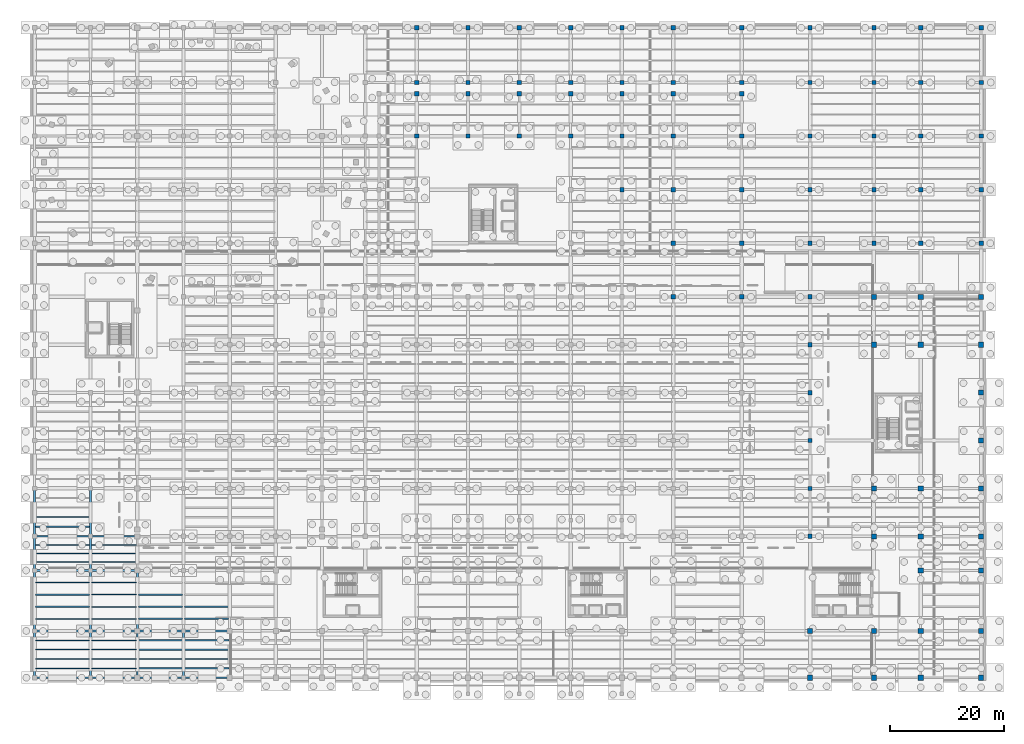
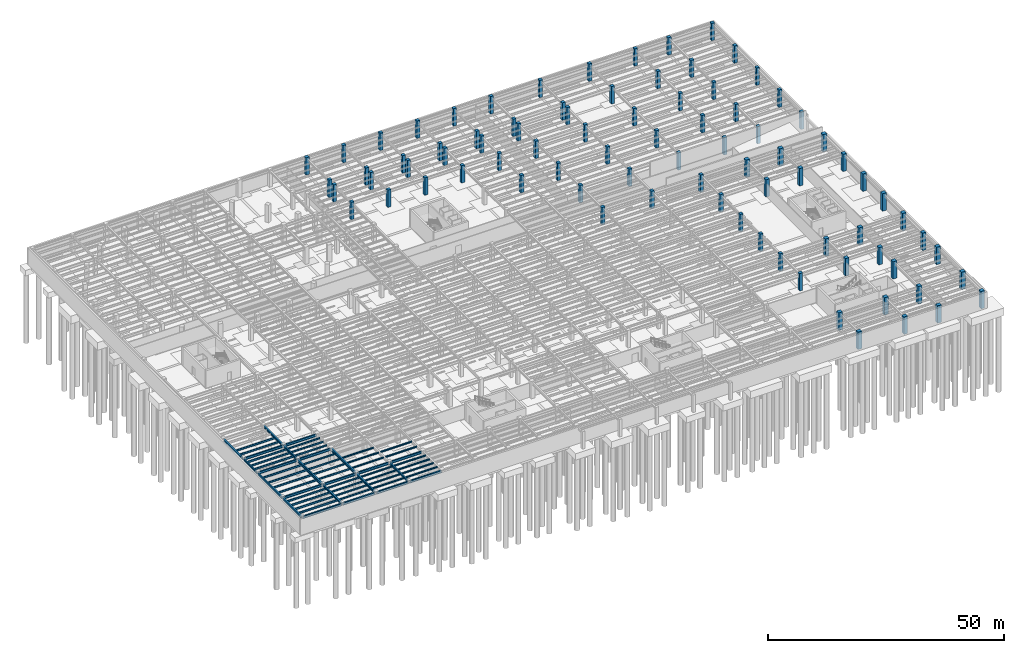
# One storey, part 18 of 49: 85 columns, 60 beams.
"""IFC4 building model written with IfcOpenShell, lengths in metres."""

import ifcopenshell
import ifcopenshell.guid

model = None  # the IFC model being written
_history = None  # IfcOwnerHistory: only IFC2X3 demands one
_inside = {}  # id of a spatial element -> (the spatial element, [elements in it])
_under = {}  # id of a project, library or spatial element -> (it, [spatial elements below it])
_declared = {}  # id of a project -> (the project, [libraries it declares])
_typed = {}  # id of a type object -> (the type object, [elements of that type])
_made_of = {}  # id of a material, layer set ... -> (it, [elements and type objects made of it])


def new_model(schema):
    """Start an empty IFC model of exactly this schema.

    Asked for "IFC4X3", IfcOpenShell would pick the latest addendum, in which some entities
    have other attributes; the version numbers below select the first issue.
    IFC2X3 requires an IfcOwnerHistory on every rooted entity: one is made here for all.
    """
    global model, _history
    if schema == "IFC4X3":
        model = ifcopenshell.file(schema_version=(4, 3, 0, 0))
    else:
        model = ifcopenshell.file(schema=schema)
    _inside.clear()
    _under.clear()
    _declared.clear()
    _typed.clear()
    _made_of.clear()
    _history = None
    if model.schema == "IFC2X3":
        org = make("IfcOrganization", Name="unknown")
        user = make(
            "IfcPersonAndOrganization",
            ThePerson=make("IfcPerson", FamilyName="unknown"),
            TheOrganization=org,
        )
        app = make(
            "IfcApplication",
            ApplicationDeveloper=org,
            Version="unknown",
            ApplicationFullName="unknown",
            ApplicationIdentifier="unknown",
        )
        _history = make(
            "IfcOwnerHistory",
            OwningUser=user,
            OwningApplication=app,
            ChangeAction="ADDED",
            CreationDate=0,
        )
    return model


def make(cls, **values):
    """One entity of the class cls with the attributes given. An attribute that is None is left unset."""
    return model.create_entity(
        cls, **{name: value for name, value in values.items() if value is not None}
    )


def rooted(cls, **values):
    """An entity with a GlobalId (a new one), such as an element, a storey or a relation."""
    return make(cls, GlobalId=ifcopenshell.guid.new(), OwnerHistory=_history, **values)


def si_unit(unit_type, name, prefix=None):
    """IfcSIUnit, for example si_unit("LENGTHUNIT", "METRE", prefix="MILLI")."""
    return make("IfcSIUnit", UnitType=unit_type, Prefix=prefix, Name=name)


def assignment(units):
    """IfcUnitAssignment: the units of a project."""
    return None if units is None else make("IfcUnitAssignment", Units=units)


def point(xyz):
    """IfcCartesianPoint."""
    return None if xyz is None else make("IfcCartesianPoint", Coordinates=xyz)


def direction(xyz):
    """IfcDirection."""
    return None if xyz is None else make("IfcDirection", DirectionRatios=xyz)


def frame(location, z_axis=None, x_axis=None):
    """IfcAxis2Placement3D, a coordinate frame: its origin and axes. An axis left out is left unset."""
    return make(
        "IfcAxis2Placement3D",
        Location=point(location),
        Axis=direction(z_axis),
        RefDirection=direction(x_axis),
    )


def frame_2d(location, x_axis=None):
    """IfcAxis2Placement2D, a coordinate frame in the plane: its origin and x axis."""
    return make(
        "IfcAxis2Placement2D", Location=point(location), RefDirection=direction(x_axis)
    )


def origin():
    """The frame at (0, 0, 0) with its axes left unset."""
    return frame((0.0, 0.0, 0.0))


def origin_2d():
    """The frame at (0, 0) in the plane with its x axis left unset."""
    return frame_2d((0.0, 0.0))


def place(relative_to, where):
    """IfcLocalPlacement: puts the frame where relative to a parent placement (None: the world)."""
    return make(
        "IfcLocalPlacement", PlacementRelTo=relative_to, RelativePlacement=where
    )


def context(
    kind, dimensions, precision=None, world=None, true_north=None, identifier=None
):
    """IfcGeometricRepresentationContext, for example the 3D "Model" context."""
    return make(
        "IfcGeometricRepresentationContext",
        ContextIdentifier=identifier,
        ContextType=kind,
        CoordinateSpaceDimension=dimensions,
        Precision=precision,
        WorldCoordinateSystem=world,
        TrueNorth=true_north,
    )


def subcontext(parent, identifier, kind, view, scale=None):
    """IfcGeometricRepresentationSubContext, for example "Body" below "Model"."""
    return make(
        "IfcGeometricRepresentationSubContext",
        ContextIdentifier=identifier,
        ContextType=kind,
        ParentContext=parent,
        TargetScale=scale,
        TargetView=view,
    )


def project(units=None, contexts=None):
    """IfcProject with its units and contexts."""
    return rooted(
        "IfcProject",
        Name="project",
        RepresentationContexts=contexts,
        UnitsInContext=assignment(units),
    )


def spatial(cls, under=None, at=None, **own):
    """A site, building, storey or space (cls), placed at a placement, below another one or the project."""
    s = rooted(cls, ObjectPlacement=at, **own)
    if under is not None:
        _under.setdefault(under.id(), (under, []))[1].append(s)
    return s


def profile(cls, at=None, kind="AREA", **sizes):
    """A parametric profile (cls). Its sizes go by their IFC names, for example OverallWidth=200.0."""
    return make(cls, ProfileType=kind, Position=at, **sizes)


def rectangle(**sizes):
    """IfcRectangleProfileDef."""
    return profile("IfcRectangleProfileDef", **sizes)


def i_section(**sizes):
    """IfcIShapeProfileDef."""
    return profile("IfcIShapeProfileDef", **sizes)


def extrude(swept, where, along, depth):
    """IfcExtrudedAreaSolid: the profile swept, set in the frame where, extruded along a direction by depth."""
    return make(
        "IfcExtrudedAreaSolid",
        SweptArea=swept,
        Position=where,
        ExtrudedDirection=direction(along),
        Depth=depth,
    )


def shape(context_of_items, identifier, shape_type, items):
    """IfcShapeRepresentation: the items that make up one representation, for example the "Body"."""
    return make(
        "IfcShapeRepresentation",
        ContextOfItems=context_of_items,
        RepresentationIdentifier=identifier,
        RepresentationType=shape_type,
        Items=items,
    )


def material(Name=None, Category=None):
    """IfcMaterial."""
    return make("IfcMaterial", Name=Name, Category=Category)


def material_profile(
    of_material, cross_section, Name=None, Category=None, Priority=None
):
    """IfcMaterialProfile: a cross section and its material."""
    return make(
        "IfcMaterialProfile",
        Name=Name,
        Material=of_material,
        Profile=cross_section,
        Priority=Priority,
        Category=Category,
    )


def profile_set(profiles, Name=None, composite=None):
    """IfcMaterialProfileSet."""
    return make(
        "IfcMaterialProfileSet",
        Name=Name,
        MaterialProfiles=profiles,
        CompositeProfile=composite,
    )


def made_of(thing, what):
    """Note that an element or type object is made of a material, layer set ...; save() writes the relation."""
    if what is not None:
        _made_of.setdefault(what.id(), (what, []))[1].append(thing)
    return thing


def type_object(cls, material=None, **own):
    """A type object (cls), such as IfcWallType, which elements share."""
    return made_of(rooted(cls, **own), material)


def element(
    cls,
    number,
    at=None,
    inside=None,
    cuts=None,
    type_object=None,
    material=None,
    context=None,
    identifier="Body",
    shape_type=None,
    held_by="IfcProductDefinitionShape",
    body=None,
    shapes=None,
    **own,
):
    """One element of the class cls, such as IfcWall. Its Tag is "e" and its number.

    at: its placement. inside: the storey or other place that contains it. cuts: it is an
    opening in that element (IfcRelVoidsElement). A single representation is given by context,
    identifier, shape_type and body (its items); several are given by shapes. held_by: the class
    of the entity that holds the representations. save() writes the other relations.
    """
    e = rooted(cls, Tag="e%d" % number, ObjectPlacement=at, **own)
    if body is not None:
        shapes = [shape(context, identifier, shape_type, body)]
    if shapes is not None:
        e.Representation = make(held_by, Representations=shapes)
    if inside is not None:
        _inside.setdefault(inside.id(), (inside, []))[1].append(e)
    if cuts is not None:
        rooted(
            "IfcRelVoidsElement", RelatingBuildingElement=cuts, RelatedOpeningElement=e
        )
    if type_object is not None:
        _typed.setdefault(type_object.id(), (type_object, []))[1].append(e)
    return made_of(e, material)


def aggregate(whole, parts):
    """IfcRelAggregates: a whole, such as a stair, and the parts it consists of."""
    return rooted("IfcRelAggregates", RelatingObject=whole, RelatedObjects=parts)


def save(model, path):
    """Write the relations noted so far, then the file.

    IfcRelAggregates (storeys below a building ...), IfcRelContainedInSpatialStructure (elements
    in a storey), IfcRelDefinesByType, IfcRelAssociatesMaterial and IfcRelDeclares: one each for
    every whole, place, type object, material and project.
    """
    for whole, parts in _under.values():
        aggregate(whole, parts)
    for where, things in _inside.values():
        rooted(
            "IfcRelContainedInSpatialStructure",
            RelatedElements=things,
            RelatingStructure=where,
        )
    for kind, things in _typed.values():
        rooted("IfcRelDefinesByType", RelatedObjects=things, RelatingType=kind)
    for what, things in _made_of.values():
        rooted("IfcRelAssociatesMaterial", RelatedObjects=things, RelatingMaterial=what)
    for by, libraries in _declared.values():
        rooted("IfcRelDeclares", RelatingContext=by, RelatedDefinitions=libraries)
    model.write(path)


model = new_model("IFC4")

# Units and contexts
model_context = context("Model", 3, precision=1e-05, world=origin(), true_north=direction((0.0, 1.0)))
body_context = subcontext(model_context, "Body", "Model", "MODEL_VIEW")
ifc_project = project(units=[si_unit("LENGTHUNIT", "METRE"), si_unit("AREAUNIT", "SQUARE_METRE"), si_unit("VOLUMEUNIT", "CUBIC_METRE"), si_unit("PLANEANGLEUNIT", "RADIAN"), si_unit("MASSUNIT", "GRAM", prefix="KILO")], contexts=[model_context])

# Site, building, storey
site_placement = place(None, origin())
site = spatial("IfcSite", under=ifc_project, at=site_placement, CompositionType="ELEMENT")
building_placement = place(site_placement, origin())
building = spatial("IfcBuilding", under=site, at=building_placement, Name="Sollismere Congress Hotel", CompositionType="ELEMENT")
storey_placement = place(building_placement, frame((0.0, 0.0, -4.5)))
storey = spatial("IfcBuildingStorey", under=building, at=storey_placement, Name="B1", CompositionType="ELEMENT", Elevation=-4.5)

# Columns
ifc_material_1 = material(Name="Concrete C50/60", Category="concrete")
ifc_material_profile_1 = material_profile(ifc_material_1, rectangle(XDim=0.75, YDim=0.75, at=origin_2d()), Name="RC750X750")
ifc_profile_set_1 = profile_set([ifc_material_profile_1], Name="Concrete C50/60")
column_type_1 = type_object("IfcColumnType", Name="COL-RC750E", PredefinedType="COLUMN", material=ifc_profile_set_1)
for number, where, z_axis, x_axis, name in (
    (1, (67.0, 114.0, 0.0), (0.0, 0.0, 1.0), (1.0, 0.0, 0.0), "Column CL-B1-339"),
    (2, (76.0, 114.0, 0.0), (0.0, 0.0, 1.0), (1.0, 0.0, 0.0), "Column CL-B1-392"),
    (3, (85.0, 114.0, 0.0), (0.0, 0.0, 1.0), (1.0, 0.0, 0.0), "Column CL-B1-451"),
    (4, (94.0, 114.0, 0.0), (0.0, 0.0, 1.0), (1.0, 0.0, 0.0), "Column CL-B1-509"),
    (5, (103.0, 114.0, 0.0), (0.0, 0.0, 1.0), (1.0, 0.0, 0.0), "Column CL-B1-567"),
    (6, (112.0, 114.0, 0.0), (0.0, 0.0, 1.0), (1.0, 0.0, 0.0), "Column CL-B1-645"),
    (7, (124.0, 114.0, 0.0), (0.0, 0.0, 1.0), (1.0, 0.0, 0.0), "Column CL-B1-726"),
    (8, (136.0, 114.0, 0.0), (0.0, 0.0, 1.0), (1.0, 0.0, 0.0), "Column CL-B1-779"),
    (9, (147.199951171875, 114.0, 0.0), (0.0, 0.0, 1.0), (1.0, 0.0, 0.0), "Column CL-B1-854"),
    (10, (155.39990234375, 114.0, 0.0), (0.0, 0.0, 1.0), (1.0, 0.0, 0.0), "Column CL-B1-942"),
    (11, (166.0, 76.199951171875, 0.0), (0.0, 0.0, 1.0), (1.0, 0.0, 0.0), "Column CL-B1-1052"),
    (12, (166.0, 85.60009765625, 0.0), (0.0, 0.0, 1.0), (1.0, 0.0, 0.0), "Column CL-B1-1053"),
    (13, (166.0, 95.0, 0.0), (0.0, 0.0, 1.0), (1.0, 0.0, 0.0), "Column CL-B1-1054"),
    (14, (166.0, 104.39990234375, 0.0), (0.0, 0.0, 1.0), (1.0, 0.0, 0.0), "Column CL-B1-1055"),
    (15, (166.0, 114.0, 0.0), (0.0, 0.0, 1.0), (1.0, 0.0, 0.0), "Column CL-B1-1056"),
):
    element("IfcColumn", number, at=place(storey_placement, frame(where, z_axis=z_axis, x_axis=x_axis)), inside=storey, type_object=column_type_1, Name=name, PredefinedType="COLUMN", context=body_context, shape_type="SweptSolid", body=[
        extrude(rectangle(XDim=0.75, YDim=0.75, at=origin_2d()), origin(), (0.0, 0.0, 1.0), 4.5),
    ])
ifc_material_profile_2 = material_profile(ifc_material_1, rectangle(XDim=0.75, YDim=0.75, at=origin_2d()), Name="RC750X750")
ifc_profile_set_2 = profile_set([ifc_material_profile_2], Name="Concrete C50/60")
column_type_2 = type_object("IfcColumnType", Name="COL-RC750I", PredefinedType="COLUMN", material=ifc_profile_set_2)
for number, where, z_axis, x_axis, name in (
    (16, (67.0, 95.0, 0.0), (0.0, 0.0, 1.0), (1.0, 0.0, 0.0), "Column CL-B1-332"),
    (17, (67.0, 104.39990234375, 0.0), (0.0, 0.0, 1.0), (1.0, 0.0, 0.0), "Column CL-B1-338"),
    (18, (76.0, 95.0, 0.0), (0.0, 0.0, 1.0), (1.0, 0.0, 0.0), "Column CL-B1-384"),
    (19, (76.0, 104.39990234375, 0.0), (0.0, 0.0, 1.0), (1.0, 0.0, 0.0), "Column CL-B1-391"),
    (20, (85.0, 95.0, 0.0), (0.0, 0.0, 1.0), (1.0, 0.0, 0.0), "Column CL-B1-443"),
    (21, (85.0, 104.39990234375, 0.0), (0.0, 0.0, 1.0), (1.0, 0.0, 0.0), "Column CL-B1-450"),
    (22, (94.0, 95.0, 0.0), (0.0, 0.0, 1.0), (1.0, 0.0, 0.0), "Column CL-B1-501"),
    (23, (94.0, 104.39990234375, 0.0), (0.0, 0.0, 1.0), (1.0, 0.0, 0.0), "Column CL-B1-508"),
    (24, (103.0, 85.60009765625, 0.0), (0.0, 0.0, 1.0), (1.0, 0.0, 0.0), "Column CL-B1-553"),
    (25, (103.0, 95.0, 0.0), (0.0, 0.0, 1.0), (1.0, 0.0, 0.0), "Column CL-B1-559"),
    (26, (103.0, 104.39990234375, 0.0), (0.0, 0.0, 1.0), (1.0, 0.0, 0.0), "Column CL-B1-566"),
    (27, (112.0, 66.800048828125, 0.0), (0.0, 0.0, 1.0), (0.0, 1.0, 0.0), "Column CL-B1-622"),
    (28, (112.0, 76.199951171875, 0.0), (0.0, 0.0, 1.0), (1.0, 0.0, 0.0), "Column CL-B1-625"),
    (29, (112.0, 85.60009765625, 0.0), (0.0, 0.0, 1.0), (1.0, 0.0, 0.0), "Column CL-B1-631"),
    (30, (112.0, 95.0, 0.0), (0.0, 0.0, 1.0), (1.0, 0.0, 0.0), "Column CL-B1-637"),
    (31, (112.0, 104.39990234375, 0.0), (0.0, 0.0, 1.0), (1.0, 0.0, 0.0), "Column CL-B1-644"),
    (32, (124.0, 66.800048828125, 0.0), (0.0, 0.0, 1.0), (0.0, 1.0, 0.0), "Column CL-B1-704"),
    (33, (124.0, 76.199951171875, 0.0), (0.0, 0.0, 1.0), (1.0, 0.0, 0.0), "Column CL-B1-707"),
    (34, (124.0, 85.60009765625, 0.0), (0.0, 0.0, 1.0), (1.0, 0.0, 0.0), "Column CL-B1-713"),
    (35, (124.0, 95.0, 0.0), (0.0, 0.0, 1.0), (1.0, 0.0, 0.0), "Column CL-B1-719"),
    (36, (124.0, 104.39990234375, 0.0), (0.0, 0.0, 1.0), (1.0, 0.0, 0.0), "Column CL-B1-725"),
    (37, (136.0, 24.800048828125, 0.0), (0.0, 0.0, 1.0), (0.0, 1.0, 0.0), "Column CL-B1-753"),
    (38, (136.0, 33.199951171875, 0.0), (0.0, 0.0, 1.0), (1.0, 0.0, 0.0), "Column CL-B1-756"),
    (39, (136.0, 41.60009765625, 0.0), (0.0, 0.0, 1.0), (1.0, 0.0, 0.0), "Column CL-B1-760"),
    (40, (136.0, 50.0, 0.0), (0.0, 0.0, 1.0), (1.0, 0.0, 0.0), "Column CL-B1-764"),
    (41, (136.0, 58.39990234375, 0.0), (0.0, 0.0, 1.0), (1.0, 0.0, 0.0), "Column CL-B1-768"),
    (42, (136.0, 66.800048828125, 0.0), (0.0, 0.0, 1.0), (0.0, 1.0, 0.0), "Column CL-B1-772"),
    (43, (136.0, 76.199951171875, 0.0), (0.0, 0.0, 1.0), (1.0, 0.0, 0.0), "Column CL-B1-775"),
    (44, (136.0, 85.60009765625, 0.0), (0.0, 0.0, 1.0), (1.0, 0.0, 0.0), "Column CL-B1-776"),
    (45, (136.0, 95.0, 0.0), (0.0, 0.0, 1.0), (1.0, 0.0, 0.0), "Column CL-B1-777"),
    (46, (136.0, 104.39990234375, 0.0), (0.0, 0.0, 1.0), (1.0, 0.0, 0.0), "Column CL-B1-778"),
    (47, (147.199951171875, 76.199951171875, 0.0), (0.0, 0.0, 1.0), (1.0, 0.0, 0.0), "Column CL-B1-850"),
    (48, (147.199951171875, 85.60009765625, 0.0), (0.0, 0.0, 1.0), (1.0, 0.0, 0.0), "Column CL-B1-851"),
    (49, (147.199951171875, 95.0, 0.0), (0.0, 0.0, 1.0), (1.0, 0.0, 0.0), "Column CL-B1-852"),
    (50, (147.199951171875, 104.39990234375, 0.0), (0.0, 0.0, 1.0), (1.0, 0.0, 0.0), "Column CL-B1-853"),
    (51, (155.39990234375, 76.199951171875, 0.0), (0.0, 0.0, 1.0), (1.0, 0.0, 0.0), "Column CL-B1-938"),
    (52, (155.39990234375, 85.60009765625, 0.0), (0.0, 0.0, 1.0), (1.0, 0.0, 0.0), "Column CL-B1-939"),
    (53, (155.39990234375, 95.0, 0.0), (0.0, 0.0, 1.0), (1.0, 0.0, 0.0), "Column CL-B1-940"),
    (54, (155.39990234375, 104.39990234375, 0.0), (0.0, 0.0, 1.0), (1.0, 0.0, 0.0), "Column CL-B1-941"),
    (55, (67.0, 102.39990234375, 0.0), (0.0, 0.0, 1.0), (0.0, 1.0, 0.0), "Column CL-B1-1087"),
    (56, (76.0, 102.39990234375, 0.0), (0.0, 0.0, 1.0), (0.0, 1.0, 0.0), "Column CL-B1-1093"),
    (57, (85.0, 102.39990234375, 0.0), (0.0, 0.0, 1.0), (0.0, 1.0, 0.0), "Column CL-B1-1099"),
    (58, (94.0, 102.39990234375, 0.0), (0.0, 0.0, 1.0), (0.0, 1.0, 0.0), "Column CL-B1-1105"),
    (59, (103.0, 102.39990234375, 0.0), (0.0, 0.0, 1.0), (0.0, 1.0, 0.0), "Column CL-B1-1111"),
    (60, (112.0, 102.39990234375, 0.0), (0.0, 0.0, 1.0), (0.0, 1.0, 0.0), "Column CL-B1-1117"),
    (61, (124.0, 102.39990234375, 0.0), (0.0, 0.0, 1.0), (0.0, 1.0, 0.0), "Column CL-B1-1123"),
):
    element("IfcColumn", number, at=place(storey_placement, frame(where, z_axis=z_axis, x_axis=x_axis)), inside=storey, type_object=column_type_2, Name=name, PredefinedType="COLUMN", context=body_context, shape_type="SweptSolid", body=[
        extrude(rectangle(XDim=0.75, YDim=0.75, at=origin_2d()), origin(), (0.0, 0.0, 1.0), 4.5),
    ])
ifc_material_profile_3 = material_profile(ifc_material_1, rectangle(XDim=0.89990234375, YDim=0.89990234375, at=origin_2d()), Name="RC900X900")
ifc_profile_set_3 = profile_set([ifc_material_profile_3], Name="Concrete C50/60")
column_type_3 = type_object("IfcColumnType", Name="COL-RC900E", PredefinedType="COLUMN", material=ifc_profile_set_3)
for number, where, z_axis, x_axis, name in (
    (62, (136.0, 0.0, 0.0), (0.0, 0.0, 1.0), (0.0, 1.0, 0.0), "Column CL-B1-727"),
    (63, (147.199951171875, 0.0, 0.0), (0.0, 0.0, 1.0), (0.0, 1.0, 0.0), "Column CL-B1-780"),
    (64, (155.39990234375, 0.0, 0.0), (0.0, 0.0, 1.0), (0.0, 1.0, 0.0), "Column CL-B1-855"),
    (65, (166.0, 0.0, 0.0), (0.0, 0.0, 1.0), (1.0, 0.0, 0.0), "Column CL-B1-943"),
    (66, (166.0, 8.199951171875, 0.0), (0.0, 0.0, 1.0), (1.0, 0.0, 0.0), "Column CL-B1-956"),
    (67, (166.0, 18.800048828125, 0.0), (0.0, 0.0, 1.0), (1.0, 0.0, 0.0), "Column CL-B1-969"),
    (68, (166.0, 24.800048828125, 0.0), (0.0, 0.0, 1.0), (1.0, 0.0, 0.0), "Column CL-B1-982"),
    (69, (166.0, 33.199951171875, 0.0), (0.0, 0.0, 1.0), (1.0, 0.0, 0.0), "Column CL-B1-995"),
    (70, (166.0, 41.60009765625, 0.0), (0.0, 0.0, 1.0), (1.0, 0.0, 0.0), "Column CL-B1-1008"),
    (71, (166.0, 50.0, 0.0), (0.0, 0.0, 1.0), (1.0, 0.0, 0.0), "Column CL-B1-1021"),
    (72, (166.0, 58.39990234375, 0.0), (0.0, 0.0, 1.0), (1.0, 0.0, 0.0), "Column CL-B1-1034"),
    (73, (166.0, 66.800048828125, 0.0), (0.0, 0.0, 1.0), (1.0, 0.0, 0.0), "Column CL-B1-1043"),
):
    element("IfcColumn", number, at=place(storey_placement, frame(where, z_axis=z_axis, x_axis=x_axis)), inside=storey, type_object=column_type_3, Name=name, PredefinedType="COLUMN", context=body_context, shape_type="SweptSolid", body=[
        extrude(rectangle(XDim=0.89990234375, YDim=0.89990234375, at=origin_2d()), origin(), (0.0, 0.0, 1.0), 4.5),
    ])
ifc_material_profile_4 = material_profile(ifc_material_1, rectangle(XDim=0.89990234375, YDim=0.89990234375, at=origin_2d()), Name="RC900X900")
ifc_profile_set_4 = profile_set([ifc_material_profile_4], Name="Concrete C50/60")
column_type_4 = type_object("IfcColumnType", Name="COL-RC900I", PredefinedType="COLUMN", material=ifc_profile_set_4)
for number, where, z_axis, x_axis, name in (
    (74, (136.0, 8.199951171875, 0.0), (0.0, 0.0, 1.0), (1.0, 0.0, 0.0), "Column CL-B1-740"),
    (75, (147.199951171875, 8.199951171875, 0.0), (0.0, 0.0, 1.0), (1.0, 0.0, 0.0), "Column CL-B1-793"),
    (76, (147.199951171875, 24.800048828125, 0.0), (0.0, 0.0, 1.0), (0.0, 1.0, 0.0), "Column CL-B1-806"),
    (77, (147.199951171875, 33.199951171875, 0.0), (0.0, 0.0, 1.0), (1.0, 0.0, 0.0), "Column CL-B1-819"),
    (78, (147.199951171875, 58.39990234375, 0.0), (0.0, 0.0, 1.0), (1.0, 0.0, 0.0), "Column CL-B1-832"),
    (79, (147.199951171875, 66.800048828125, 0.0), (0.0, 0.0, 1.0), (0.0, 1.0, 0.0), "Column CL-B1-841"),
    (80, (155.39990234375, 8.199951171875, 0.0), (0.0, 0.0, 1.0), (1.0, 0.0, 0.0), "Column CL-B1-868"),
    (81, (155.39990234375, 18.800048828125, 0.0), (0.0, 0.0, 1.0), (0.0, 1.0, 0.0), "Column CL-B1-881"),
    (82, (155.39990234375, 24.800048828125, 0.0), (0.0, 0.0, 1.0), (0.0, 1.0, 0.0), "Column CL-B1-894"),
    (83, (155.39990234375, 33.199951171875, 0.0), (0.0, 0.0, 1.0), (1.0, 0.0, 0.0), "Column CL-B1-907"),
    (84, (155.39990234375, 58.39990234375, 0.0), (0.0, 0.0, 1.0), (1.0, 0.0, 0.0), "Column CL-B1-920"),
    (85, (155.39990234375, 66.800048828125, 0.0), (0.0, 0.0, 1.0), (0.0, 1.0, 0.0), "Column CL-B1-929"),
):
    element("IfcColumn", number, at=place(storey_placement, frame(where, z_axis=z_axis, x_axis=x_axis)), inside=storey, type_object=column_type_4, Name=name, PredefinedType="COLUMN", context=body_context, shape_type="SweptSolid", body=[
        extrude(rectangle(XDim=0.89990234375, YDim=0.89990234375, at=origin_2d()), origin(), (0.0, 0.0, 1.0), 4.5),
    ])

# Beams
ifc_material_2 = material(Name="Steel ASTM A992 Grade 50", Category="steel")
ifc_material_profile_5 = material_profile(ifc_material_2, i_section(OverallWidth=0.31494140625, OverallDepth=0.551025390625, WebThickness=0.01513671875, FlangeThickness=0.0244140625, at=origin_2d()), Name="W21X122")
ifc_profile_set_5 = profile_set([ifc_material_profile_5], Name="Steel ASTM A992 Grade 50")
beam_type_1 = type_object("IfcBeamType", Name="BM-G21H", PredefinedType="BEAM", material=ifc_profile_set_5)
beam_1_placement = place(storey_placement, frame((9.800048828125, 0.139892578125, 3.924560546875), z_axis=(0.0, 1.0, 0.0), x_axis=(-1.0, 0.0, 0.0)))
element("IfcBeam", 86, at=beam_1_placement, inside=storey, type_object=beam_type_1, Name="Beam BM-B1-0246", PredefinedType="BEAM", context=body_context, shape_type="SweptSolid", body=[
    extrude(i_section(OverallWidth=0.31494140625, OverallDepth=0.551025390625, WebThickness=0.01513671875, FlangeThickness=0.0244140625, at=origin_2d()), origin(), (0.0, 0.0, 1.0), 7.920166015625),
])
beam_2_placement = place(storey_placement, frame((9.800048828125, 18.93994140625, 3.924560546875), z_axis=(0.0, 1.0, 0.0), x_axis=(-1.0, 0.0, 0.0)))
element("IfcBeam", 87, at=beam_2_placement, inside=storey, type_object=beam_type_1, Name="Beam BM-B1-0248", PredefinedType="BEAM", context=body_context, shape_type="SweptSolid", body=[
    extrude(i_section(OverallWidth=0.31494140625, OverallDepth=0.551025390625, WebThickness=0.01513671875, FlangeThickness=0.0244140625, at=origin_2d()), origin(), (0.0, 0.0, 1.0), 5.719970703125),
])
beam_3_placement = place(storey_placement, frame((9.800048828125, 24.93994140625, 3.924560546875), z_axis=(0.0, 1.0, 0.0), x_axis=(-1.0, 0.0, 0.0)))
element("IfcBeam", 88, at=beam_3_placement, inside=storey, type_object=beam_type_1, Name="Beam BM-B1-0249", PredefinedType="BEAM", context=body_context, shape_type="SweptSolid", body=[
    extrude(i_section(OverallWidth=0.31494140625, OverallDepth=0.551025390625, WebThickness=0.01513671875, FlangeThickness=0.0244140625, at=origin_2d()), origin(), (0.0, 0.0, 1.0), 8.1201171875),
])
for number, where, z_axis, x_axis, name in (
    (89, (18.0, 0.139892578125, 3.924560546875), (0.0, 1.0, 0.0), (-1.0, 0.0, 0.0), "Beam BM-B1-0256"),
    (90, (26.10009765625, 0.139892578125, 3.924560546875), (0.0, 1.0, 0.0), (-1.0, 0.0, 0.0), "Beam BM-B1-0268"),
):
    element("IfcBeam", number, at=place(storey_placement, frame(where, z_axis=z_axis, x_axis=x_axis)), inside=storey, type_object=beam_type_1, Name=name, PredefinedType="BEAM", context=body_context, shape_type="SweptSolid", body=[
        extrude(i_section(OverallWidth=0.31494140625, OverallDepth=0.551025390625, WebThickness=0.01513671875, FlangeThickness=0.0244140625, at=origin_2d()), origin(), (0.0, 0.0, 1.0), 7.920166015625),
    ])
ifc_material_profile_6 = material_profile(ifc_material_2, i_section(OverallWidth=0.324951171875, OverallDepth=0.612060546875, WebThickness=0.0126953125, FlangeThickness=0.01904296875, at=origin_2d()), Name="W24X104")
ifc_profile_set_6 = profile_set([ifc_material_profile_6], Name="Steel ASTM A992 Grade 50")
beam_type_2 = type_object("IfcBeamType", Name="BM-G24", PredefinedType="BEAM", material=ifc_profile_set_6)
beam_4_placement = place(storey_placement, frame((0.139892578125, 8.199951171875, 3.89404296875), z_axis=(1.0, 0.0, 0.0), x_axis=(0.0, 1.0, 0.0)))
element("IfcBeam", 91, at=beam_4_placement, inside=storey, type_object=beam_type_2, Name="Beam BM-B1-0019", PredefinedType="BEAM", context=body_context, shape_type="SweptSolid", body=[
    extrude(i_section(OverallWidth=0.324951171875, OverallDepth=0.612060546875, WebThickness=0.0126953125, FlangeThickness=0.01904296875, at=origin_2d()), origin(), (0.0, 0.0, 1.0), 9.52001953125),
])
beam_5_placement = place(storey_placement, frame((9.93994140625, 8.199951171875, 3.89404296875), z_axis=(1.0, 0.0, 0.0), x_axis=(0.0, 1.0, 0.0)))
element("IfcBeam", 92, at=beam_5_placement, inside=storey, type_object=beam_type_2, Name="Beam BM-B1-0020", PredefinedType="BEAM", context=body_context, shape_type="SweptSolid", body=[
    extrude(i_section(OverallWidth=0.324951171875, OverallDepth=0.612060546875, WebThickness=0.0126953125, FlangeThickness=0.01904296875, at=origin_2d()), origin(), (0.0, 0.0, 1.0), 7.920166015625),
])
for number, where, z_axis, x_axis, name in (
    (93, (18.139892578125, 8.199951171875, 3.89404296875), (1.0, 0.0, 0.0), (0.0, 1.0, 0.0), "Beam BM-B1-0021"),
    (94, (26.239990234375, 8.199951171875, 3.89404296875), (1.0, 0.0, 0.0), (0.0, 1.0, 0.0), "Beam BM-B1-0022"),
):
    element("IfcBeam", number, at=place(storey_placement, frame(where, z_axis=z_axis, x_axis=x_axis)), inside=storey, type_object=beam_type_2, Name=name, PredefinedType="BEAM", context=body_context, shape_type="SweptSolid", body=[
        extrude(i_section(OverallWidth=0.324951171875, OverallDepth=0.612060546875, WebThickness=0.0126953125, FlangeThickness=0.01904296875, at=origin_2d()), origin(), (0.0, 0.0, 1.0), 7.820068359375),
    ])
beam_6_placement = place(storey_placement, frame((0.139892578125, 18.800048828125, 3.89404296875), z_axis=(1.0, 0.0, 0.0), x_axis=(0.0, 1.0, 0.0)))
element("IfcBeam", 95, at=beam_6_placement, inside=storey, type_object=beam_type_2, Name="Beam BM-B1-0037", PredefinedType="BEAM", context=body_context, shape_type="SweptSolid", body=[
    extrude(i_section(OverallWidth=0.324951171875, OverallDepth=0.612060546875, WebThickness=0.0126953125, FlangeThickness=0.01904296875, at=origin_2d()), origin(), (0.0, 0.0, 1.0), 9.52001953125),
])
beam_7_placement = place(storey_placement, frame((9.93994140625, 18.800048828125, 3.89404296875), z_axis=(1.0, 0.0, 0.0), x_axis=(0.0, 1.0, 0.0)))
element("IfcBeam", 96, at=beam_7_placement, inside=storey, type_object=beam_type_2, Name="Beam BM-B1-0038", PredefinedType="BEAM", context=body_context, shape_type="SweptSolid", body=[
    extrude(i_section(OverallWidth=0.324951171875, OverallDepth=0.612060546875, WebThickness=0.0126953125, FlangeThickness=0.01904296875, at=origin_2d()), origin(), (0.0, 0.0, 1.0), 7.920166015625),
])
beam_8_placement = place(storey_placement, frame((0.139892578125, 24.800048828125, 3.89404296875), z_axis=(1.0, 0.0, 0.0), x_axis=(0.0, 1.0, 0.0)))
element("IfcBeam", 97, at=beam_8_placement, inside=storey, type_object=beam_type_2, Name="Beam BM-B1-0046", PredefinedType="BEAM", context=body_context, shape_type="SweptSolid", body=[
    extrude(i_section(OverallWidth=0.324951171875, OverallDepth=0.612060546875, WebThickness=0.0126953125, FlangeThickness=0.01904296875, at=origin_2d()), origin(), (0.0, 0.0, 1.0), 9.52001953125),
])
beam_9_placement = place(storey_placement, frame((9.93994140625, 24.800048828125, 3.89404296875), z_axis=(1.0, 0.0, 0.0), x_axis=(0.0, 1.0, 0.0)))
element("IfcBeam", 98, at=beam_9_placement, inside=storey, type_object=beam_type_2, Name="Beam BM-B1-0047", PredefinedType="BEAM", context=body_context, shape_type="SweptSolid", body=[
    extrude(i_section(OverallWidth=0.324951171875, OverallDepth=0.612060546875, WebThickness=0.0126953125, FlangeThickness=0.01904296875, at=origin_2d()), origin(), (0.0, 0.0, 1.0), 7.920166015625),
])
ifc_material_profile_7 = material_profile(ifc_material_2, i_section(OverallWidth=0.35595703125, OverallDepth=0.696044921875, WebThickness=0.015380859375, FlangeThickness=0.025146484375, at=origin_2d()), Name="W27X146")
ifc_profile_set_7 = profile_set([ifc_material_profile_7], Name="Steel ASTM A992 Grade 50")
beam_type_3 = type_object("IfcBeamType", Name="BM-G27", PredefinedType="BEAM", material=ifc_profile_set_7)
for number, where, z_axis, x_axis, name in (
    (99, (9.800048828125, 8.340087890625, 3.85205078125), (0.0, 1.0, 0.0), (-1.0, 0.0, 0.0), "Beam BM-B1-0247"),
    (100, (18.0, 8.340087890625, 3.85205078125), (0.0, 1.0, 0.0), (-1.0, 0.0, 0.0), "Beam BM-B1-0257"),
):
    element("IfcBeam", number, at=place(storey_placement, frame(where, z_axis=z_axis, x_axis=x_axis)), inside=storey, type_object=beam_type_3, Name=name, PredefinedType="BEAM", context=body_context, shape_type="SweptSolid", body=[
        extrude(i_section(OverallWidth=0.35595703125, OverallDepth=0.696044921875, WebThickness=0.015380859375, FlangeThickness=0.025146484375, at=origin_2d()), origin(), (0.0, 0.0, 1.0), 10.31982421875),
    ])
ifc_material_profile_8 = material_profile(ifc_material_2, i_section(OverallWidth=0.25390625, OverallDepth=0.35595703125, WebThickness=0.010498046875, FlangeThickness=0.018310546875, at=origin_2d()), Name="W14X68")
ifc_profile_set_8 = profile_set([ifc_material_profile_8], Name="Steel ASTM A992 Grade 50")
beam_type_4 = type_object("IfcBeamType", Name="BM-J14", PredefinedType="JOIST", material=ifc_profile_set_8)
for number, where, z_axis, x_axis, name in (
    (101, (18.157470703125, 1.639892578125, 4.02197265625), (1.0, 0.0, 0.0), (0.0, 1.0, 0.0), "Beam BM-B1-0534"),
    (102, (18.157470703125, 3.280029296875, 4.02197265625), (1.0, 0.0, 0.0), (0.0, 1.0, 0.0), "Beam BM-B1-0535"),
    (103, (18.157470703125, 4.919921875, 4.02197265625), (1.0, 0.0, 0.0), (0.0, 1.0, 0.0), "Beam BM-B1-0536"),
    (104, (18.157470703125, 6.56005859375, 4.02197265625), (1.0, 0.0, 0.0), (0.0, 1.0, 0.0), "Beam BM-B1-0537"),
):
    element("IfcBeam", number, at=place(storey_placement, frame(where, z_axis=z_axis, x_axis=x_axis)), inside=storey, type_object=beam_type_4, Name=name, PredefinedType="JOIST", context=body_context, shape_type="SweptSolid", body=[
        extrude(i_section(OverallWidth=0.25390625, OverallDepth=0.35595703125, WebThickness=0.010498046875, FlangeThickness=0.018310546875, at=origin_2d()), origin(), (0.0, 0.0, 1.0), 7.784912109375),
    ])
for number, where, z_axis, x_axis, name in (
    (105, (18.177978515625, 10.320068359375, 4.02197265625), (1.0, 0.0, 0.0), (0.0, 1.0, 0.0), "Beam BM-B1-0538"),
    (106, (18.177978515625, 12.43994140625, 4.02197265625), (1.0, 0.0, 0.0), (0.0, 1.0, 0.0), "Beam BM-B1-0539"),
    (107, (18.177978515625, 14.56005859375, 4.02197265625), (1.0, 0.0, 0.0), (0.0, 1.0, 0.0), "Beam BM-B1-0540"),
):
    element("IfcBeam", number, at=place(storey_placement, frame(where, z_axis=z_axis, x_axis=x_axis)), inside=storey, type_object=beam_type_4, Name=name, PredefinedType="JOIST", context=body_context, shape_type="SweptSolid", body=[
        extrude(i_section(OverallWidth=0.25390625, OverallDepth=0.35595703125, WebThickness=0.010498046875, FlangeThickness=0.018310546875, at=origin_2d()), origin(), (0.0, 0.0, 1.0), 7.744140625),
    ])
for number, where, z_axis, x_axis, name in (
    (108, (26.257568359375, 1.639892578125, 4.02197265625), (1.0, 0.0, 0.0), (0.0, 1.0, 0.0), "Beam BM-B1-0569"),
    (109, (26.257568359375, 3.280029296875, 4.02197265625), (1.0, 0.0, 0.0), (0.0, 1.0, 0.0), "Beam BM-B1-0570"),
    (110, (26.257568359375, 4.919921875, 4.02197265625), (1.0, 0.0, 0.0), (0.0, 1.0, 0.0), "Beam BM-B1-0571"),
    (111, (26.257568359375, 6.56005859375, 4.02197265625), (1.0, 0.0, 0.0), (0.0, 1.0, 0.0), "Beam BM-B1-0572"),
):
    element("IfcBeam", number, at=place(storey_placement, frame(where, z_axis=z_axis, x_axis=x_axis)), inside=storey, type_object=beam_type_4, Name=name, PredefinedType="JOIST", context=body_context, shape_type="SweptSolid", body=[
        extrude(i_section(OverallWidth=0.25390625, OverallDepth=0.35595703125, WebThickness=0.010498046875, FlangeThickness=0.018310546875, at=origin_2d()), origin(), (0.0, 0.0, 1.0), 7.784912109375),
    ])
for number, where, z_axis, x_axis, name in (
    (112, (26.278076171875, 10.320068359375, 4.02197265625), (1.0, 0.0, 0.0), (0.0, 1.0, 0.0), "Beam BM-B1-0573"),
    (113, (26.278076171875, 12.43994140625, 4.02197265625), (1.0, 0.0, 0.0), (0.0, 1.0, 0.0), "Beam BM-B1-0574"),
):
    element("IfcBeam", number, at=place(storey_placement, frame(where, z_axis=z_axis, x_axis=x_axis)), inside=storey, type_object=beam_type_4, Name=name, PredefinedType="JOIST", context=body_context, shape_type="SweptSolid", body=[
        extrude(i_section(OverallWidth=0.25390625, OverallDepth=0.35595703125, WebThickness=0.010498046875, FlangeThickness=0.018310546875, at=origin_2d()), origin(), (0.0, 0.0, 1.0), 7.743896484375),
    ])
ifc_material_profile_9 = material_profile(ifc_material_2, i_section(OverallWidth=0.180908203125, OverallDepth=0.4169921875, WebThickness=0.010986328125, FlangeThickness=0.018310546875, at=origin_2d()), Name="W16X57")
ifc_profile_set_9 = profile_set([ifc_material_profile_9], Name="Steel ASTM A992 Grade 50")
beam_type_5 = type_object("IfcBeamType", Name="BM-J16", PredefinedType="JOIST", material=ifc_profile_set_9)
for number, where, z_axis, x_axis, name in (
    (114, (9.95751953125, 1.639892578125, 3.991455078125), (1.0, 0.0, 0.0), (0.0, 1.0, 0.0), "Beam BM-B1-0499"),
    (115, (9.95751953125, 3.280029296875, 3.991455078125), (1.0, 0.0, 0.0), (0.0, 1.0, 0.0), "Beam BM-B1-0500"),
    (116, (9.95751953125, 4.919921875, 3.991455078125), (1.0, 0.0, 0.0), (0.0, 1.0, 0.0), "Beam BM-B1-0501"),
    (117, (9.95751953125, 6.56005859375, 3.991455078125), (1.0, 0.0, 0.0), (0.0, 1.0, 0.0), "Beam BM-B1-0502"),
):
    element("IfcBeam", number, at=place(storey_placement, frame(where, z_axis=z_axis, x_axis=x_axis)), inside=storey, type_object=beam_type_5, Name=name, PredefinedType="JOIST", context=body_context, shape_type="SweptSolid", body=[
        extrude(i_section(OverallWidth=0.180908203125, OverallDepth=0.4169921875, WebThickness=0.010986328125, FlangeThickness=0.018310546875, at=origin_2d()), origin(), (0.0, 0.0, 1.0), 7.885009765625),
    ])
for number, where, z_axis, x_axis, name in (
    (118, (9.97802734375, 10.320068359375, 3.991455078125), (1.0, 0.0, 0.0), (0.0, 1.0, 0.0), "Beam BM-B1-0503"),
    (119, (9.97802734375, 12.43994140625, 3.991455078125), (1.0, 0.0, 0.0), (0.0, 1.0, 0.0), "Beam BM-B1-0504"),
    (120, (9.97802734375, 14.56005859375, 3.991455078125), (1.0, 0.0, 0.0), (0.0, 1.0, 0.0), "Beam BM-B1-0505"),
    (121, (9.97802734375, 16.679931640625, 3.991455078125), (1.0, 0.0, 0.0), (0.0, 1.0, 0.0), "Beam BM-B1-0506"),
):
    element("IfcBeam", number, at=place(storey_placement, frame(where, z_axis=z_axis, x_axis=x_axis)), inside=storey, type_object=beam_type_5, Name=name, PredefinedType="JOIST", context=body_context, shape_type="SweptSolid", body=[
        extrude(i_section(OverallWidth=0.180908203125, OverallDepth=0.4169921875, WebThickness=0.010986328125, FlangeThickness=0.018310546875, at=origin_2d()), origin(), (0.0, 0.0, 1.0), 7.843994140625),
    ])
for number, where, z_axis, x_axis, name in (
    (122, (9.95751953125, 20.300048828125, 3.991455078125), (1.0, 0.0, 0.0), (0.0, 1.0, 0.0), "Beam BM-B1-0507"),
    (123, (9.95751953125, 21.800048828125, 3.991455078125), (1.0, 0.0, 0.0), (0.0, 1.0, 0.0), "Beam BM-B1-0508"),
    (124, (9.95751953125, 23.300048828125, 3.991455078125), (1.0, 0.0, 0.0), (0.0, 1.0, 0.0), "Beam BM-B1-0509"),
):
    element("IfcBeam", number, at=place(storey_placement, frame(where, z_axis=z_axis, x_axis=x_axis)), inside=storey, type_object=beam_type_5, Name=name, PredefinedType="JOIST", context=body_context, shape_type="SweptSolid", body=[
        extrude(i_section(OverallWidth=0.180908203125, OverallDepth=0.4169921875, WebThickness=0.010986328125, FlangeThickness=0.018310546875, at=origin_2d()), origin(), (0.0, 0.0, 1.0), 7.885009765625),
    ])
ifc_material_profile_10 = material_profile(ifc_material_2, i_section(OverallWidth=0.193115234375, OverallDepth=0.467041015625, WebThickness=0.011474609375, FlangeThickness=0.01904296875, at=origin_2d()), Name="W18X65")
ifc_profile_set_10 = profile_set([ifc_material_profile_10], Name="Steel ASTM A992 Grade 50")
beam_type_6 = type_object("IfcBeamType", Name="BM-J18", PredefinedType="JOIST", material=ifc_profile_set_10)
for number, where, z_axis, x_axis, name in (
    (125, (0.1650390625, 1.639892578125, 3.966552734375), (1.0, 0.0, 0.0), (0.0, 1.0, 0.0), "Beam BM-B1-0460"),
    (126, (0.1650390625, 3.280029296875, 3.966552734375), (1.0, 0.0, 0.0), (0.0, 1.0, 0.0), "Beam BM-B1-0461"),
    (127, (0.1650390625, 4.919921875, 3.966552734375), (1.0, 0.0, 0.0), (0.0, 1.0, 0.0), "Beam BM-B1-0462"),
    (128, (0.1650390625, 6.56005859375, 3.966552734375), (1.0, 0.0, 0.0), (0.0, 1.0, 0.0), "Beam BM-B1-0463"),
):
    element("IfcBeam", number, at=place(storey_placement, frame(where, z_axis=z_axis, x_axis=x_axis)), inside=storey, type_object=beam_type_6, Name=name, PredefinedType="JOIST", context=body_context, shape_type="SweptSolid", body=[
        extrude(i_section(OverallWidth=0.193115234375, OverallDepth=0.467041015625, WebThickness=0.011474609375, FlangeThickness=0.01904296875, at=origin_2d()), origin(), (0.0, 0.0, 1.0), 9.4775390625),
    ])
for number, where, z_axis, x_axis, name in (
    (129, (0.1650390625, 10.320068359375, 3.966552734375), (1.0, 0.0, 0.0), (0.0, 1.0, 0.0), "Beam BM-B1-0464"),
    (130, (0.1650390625, 12.43994140625, 3.966552734375), (1.0, 0.0, 0.0), (0.0, 1.0, 0.0), "Beam BM-B1-0465"),
    (131, (0.1650390625, 14.56005859375, 3.966552734375), (1.0, 0.0, 0.0), (0.0, 1.0, 0.0), "Beam BM-B1-0466"),
    (132, (0.1650390625, 16.679931640625, 3.966552734375), (1.0, 0.0, 0.0), (0.0, 1.0, 0.0), "Beam BM-B1-0467"),
):
    element("IfcBeam", number, at=place(storey_placement, frame(where, z_axis=z_axis, x_axis=x_axis)), inside=storey, type_object=beam_type_6, Name=name, PredefinedType="JOIST", context=body_context, shape_type="SweptSolid", body=[
        extrude(i_section(OverallWidth=0.193115234375, OverallDepth=0.467041015625, WebThickness=0.011474609375, FlangeThickness=0.01904296875, at=origin_2d()), origin(), (0.0, 0.0, 1.0), 9.45703125),
    ])
for number, where, z_axis, x_axis, name in (
    (133, (0.1650390625, 20.300048828125, 3.966552734375), (1.0, 0.0, 0.0), (0.0, 1.0, 0.0), "Beam BM-B1-0468"),
    (134, (0.1650390625, 21.800048828125, 3.966552734375), (1.0, 0.0, 0.0), (0.0, 1.0, 0.0), "Beam BM-B1-0469"),
    (135, (0.1650390625, 23.300048828125, 3.966552734375), (1.0, 0.0, 0.0), (0.0, 1.0, 0.0), "Beam BM-B1-0470"),
    (136, (0.1650390625, 26.47998046875, 3.966552734375), (1.0, 0.0, 0.0), (0.0, 1.0, 0.0), "Beam BM-B1-0471"),
    (137, (0.1650390625, 28.159912109375, 3.966552734375), (1.0, 0.0, 0.0), (0.0, 1.0, 0.0), "Beam BM-B1-0472"),
):
    element("IfcBeam", number, at=place(storey_placement, frame(where, z_axis=z_axis, x_axis=x_axis)), inside=storey, type_object=beam_type_6, Name=name, PredefinedType="JOIST", context=body_context, shape_type="SweptSolid", body=[
        extrude(i_section(OverallWidth=0.193115234375, OverallDepth=0.467041015625, WebThickness=0.011474609375, FlangeThickness=0.01904296875, at=origin_2d()), origin(), (0.0, 0.0, 1.0), 9.4775390625),
    ])
ifc_material_profile_11 = material_profile(ifc_material_2, i_section(OverallWidth=0.330078125, OverallDepth=0.635009765625, WebThickness=0.017822265625, FlangeThickness=0.031005859375, at=origin_2d()), Name="W24X162")
ifc_profile_set_11 = profile_set([ifc_material_profile_11], Name="Steel ASTM A992 Grade 50")
beam_type_7 = type_object("IfcBeamType", Name="BM-SP24E", PredefinedType="SPANDREL", material=ifc_profile_set_11)
beam_10_placement = place(storey_placement, frame((0.139892578125, 0.0, 3.882568359375), z_axis=(1.0, 0.0, 0.0), x_axis=(0.0, 1.0, 0.0)))
element("IfcBeam", 138, at=beam_10_placement, inside=storey, type_object=beam_type_7, Name="Beam BM-B1-0001", PredefinedType="SPANDREL", context=body_context, shape_type="SweptSolid", body=[
    extrude(i_section(OverallWidth=0.330078125, OverallDepth=0.635009765625, WebThickness=0.017822265625, FlangeThickness=0.031005859375, at=origin_2d()), origin(), (0.0, 0.0, 1.0), 9.52001953125),
])
beam_11_placement = place(storey_placement, frame((9.93994140625, 0.0, 3.882568359375), z_axis=(1.0, 0.0, 0.0), x_axis=(0.0, 1.0, 0.0)))
element("IfcBeam", 139, at=beam_11_placement, inside=storey, type_object=beam_type_7, Name="Beam BM-B1-0002", PredefinedType="SPANDREL", context=body_context, shape_type="SweptSolid", body=[
    extrude(i_section(OverallWidth=0.330078125, OverallDepth=0.635009765625, WebThickness=0.017822265625, FlangeThickness=0.031005859375, at=origin_2d()), origin(), (0.0, 0.0, 1.0), 7.920166015625),
])
for number, where, z_axis, x_axis, name in (
    (140, (18.139892578125, 0.0, 3.882568359375), (1.0, 0.0, 0.0), (0.0, 1.0, 0.0), "Beam BM-B1-0003"),
    (141, (26.239990234375, 0.0, 3.882568359375), (1.0, 0.0, 0.0), (0.0, 1.0, 0.0), "Beam BM-B1-0004"),
):
    element("IfcBeam", number, at=place(storey_placement, frame(where, z_axis=z_axis, x_axis=x_axis)), inside=storey, type_object=beam_type_7, Name=name, PredefinedType="SPANDREL", context=body_context, shape_type="SweptSolid", body=[
        extrude(i_section(OverallWidth=0.330078125, OverallDepth=0.635009765625, WebThickness=0.017822265625, FlangeThickness=0.031005859375, at=origin_2d()), origin(), (0.0, 0.0, 1.0), 7.820068359375),
    ])
beam_12_placement = place(storey_placement, frame((0.0, 0.139892578125, 3.882568359375), z_axis=(0.0, 1.0, 0.0), x_axis=(-1.0, 0.0, 0.0)))
element("IfcBeam", 142, at=beam_12_placement, inside=storey, type_object=beam_type_7, Name="Beam BM-B1-0233", PredefinedType="SPANDREL", context=body_context, shape_type="SweptSolid", body=[
    extrude(i_section(OverallWidth=0.330078125, OverallDepth=0.635009765625, WebThickness=0.017822265625, FlangeThickness=0.031005859375, at=origin_2d()), origin(), (0.0, 0.0, 1.0), 7.920166015625),
])
beam_13_placement = place(storey_placement, frame((0.0, 8.340087890625, 3.882568359375), z_axis=(0.0, 1.0, 0.0), x_axis=(-1.0, 0.0, 0.0)))
element("IfcBeam", 143, at=beam_13_placement, inside=storey, type_object=beam_type_7, Name="Beam BM-B1-0234", PredefinedType="SPANDREL", context=body_context, shape_type="SweptSolid", body=[
    extrude(i_section(OverallWidth=0.330078125, OverallDepth=0.635009765625, WebThickness=0.017822265625, FlangeThickness=0.031005859375, at=origin_2d()), origin(), (0.0, 0.0, 1.0), 10.31982421875),
])
beam_14_placement = place(storey_placement, frame((0.0, 18.93994140625, 3.882568359375), z_axis=(0.0, 1.0, 0.0), x_axis=(-1.0, 0.0, 0.0)))
element("IfcBeam", 144, at=beam_14_placement, inside=storey, type_object=beam_type_7, Name="Beam BM-B1-0235", PredefinedType="SPANDREL", context=body_context, shape_type="SweptSolid", body=[
    extrude(i_section(OverallWidth=0.330078125, OverallDepth=0.635009765625, WebThickness=0.017822265625, FlangeThickness=0.031005859375, at=origin_2d()), origin(), (0.0, 0.0, 1.0), 5.719970703125),
])
beam_15_placement = place(storey_placement, frame((0.0, 24.93994140625, 3.882568359375), z_axis=(0.0, 1.0, 0.0), x_axis=(-1.0, 0.0, 0.0)))
element("IfcBeam", 145, at=beam_15_placement, inside=storey, type_object=beam_type_7, Name="Beam BM-B1-0236", PredefinedType="SPANDREL", context=body_context, shape_type="SweptSolid", body=[
    extrude(i_section(OverallWidth=0.330078125, OverallDepth=0.635009765625, WebThickness=0.017822265625, FlangeThickness=0.031005859375, at=origin_2d()), origin(), (0.0, 0.0, 1.0), 8.1201171875),
])

save(model, "model.ifc")
